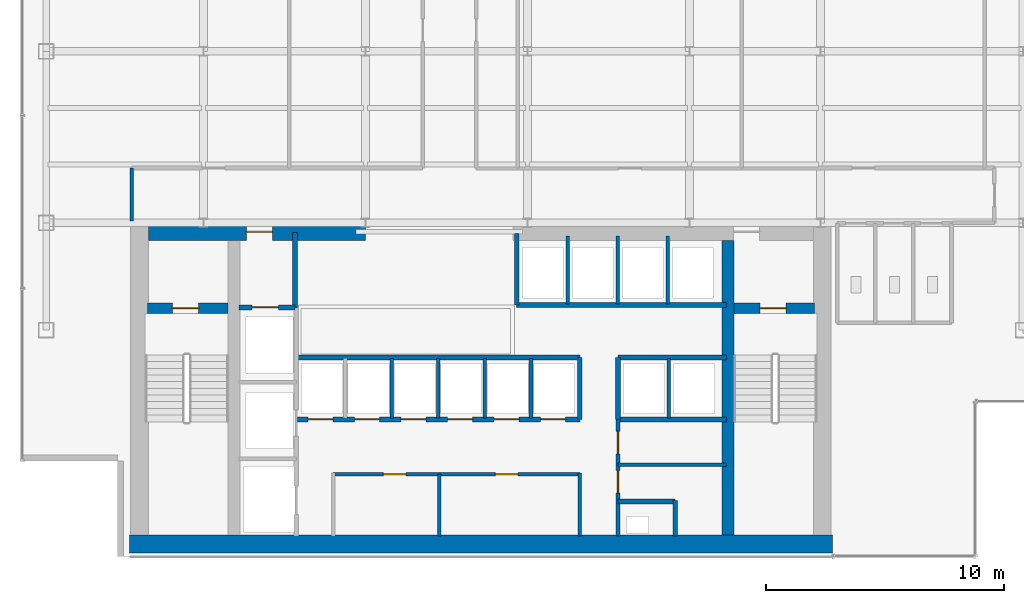
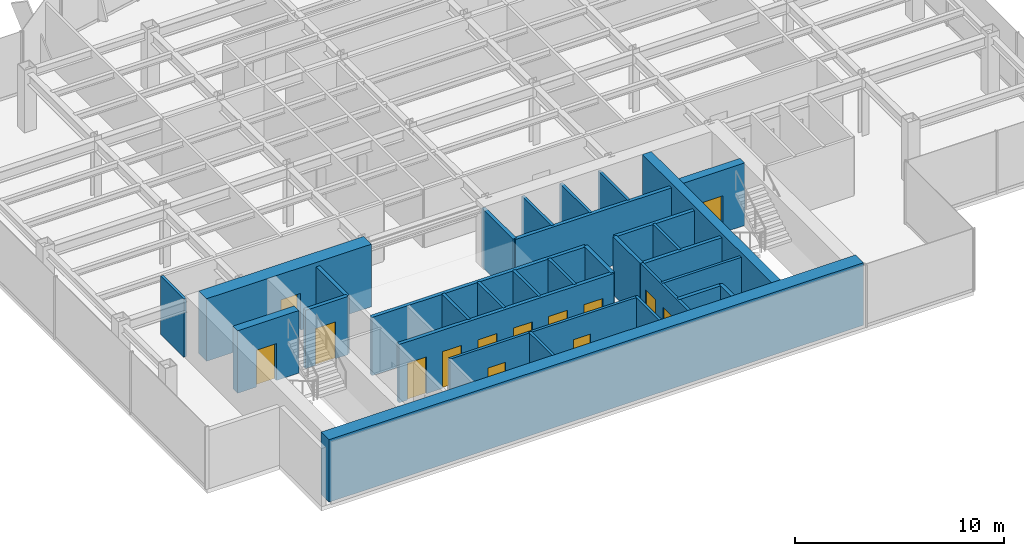
# One storey, part 20 of 25: 31 walls, 14 doors, 14 openings.
"""IFC4 building model written with IfcOpenShell, lengths in metres."""

from ifc_helpers import new_model, si_unit, derived_unit, direction, frame, frame_2d, origin, place, context, subcontext, project, spatial, rectangle, extrude, source, transform, mapped, material, layer, layer_set, type_object, element, fill, save


model = new_model("IFC4")

# Units and contexts
model_context = context("Model", 3, precision=1e-05, world=origin(), true_north=direction((0.0, 1.0)))
body_context = subcontext(model_context, "Body", "Model", "MODEL_VIEW")
ifc_project = project(units=[si_unit("LENGTHUNIT", "METRE"), si_unit("AREAUNIT", "SQUARE_METRE"), si_unit("VOLUMEUNIT", "CUBIC_METRE"), si_unit("PLANEANGLEUNIT", "RADIAN"), si_unit("MASSUNIT", "GRAM", prefix="KILO"), derived_unit("THERMALTRANSMITTANCEUNIT", [(si_unit("POWERUNIT", "WATT"), 1), (si_unit("LENGTHUNIT", "METRE"), -2), (si_unit("THERMODYNAMICTEMPERATUREUNIT", "KELVIN"), -1)])], contexts=[model_context])

# Site, building, storey
site_placement = place(None, origin())
site = spatial("IfcSite", under=ifc_project, at=site_placement, CompositionType="ELEMENT")
building_placement = place(site_placement, origin())
building = spatial("IfcBuilding", under=site, at=building_placement, Name="Skarnbrae Concourse Arena and Tower", CompositionType="ELEMENT")
storey_placement = place(building_placement, frame((0.0, 0.0, 173.449951171875)))
storey = spatial("IfcBuildingStorey", under=building, at=storey_placement, Name="L44", CompositionType="ELEMENT", Elevation=173.449951171875)

# Wall, opening, door
ifc_material_1 = material(Name="Concrete 50 MPa (C50/60)", Category="concrete")
ifc_layer_1 = layer(ifc_material_1, 0.449951171875)
ifc_layer_set_1 = layer_set([ifc_layer_1], Name="Concrete 50 MPa (C50/60)")
wall_type_1 = type_object("IfcWallType", Name="WALL-CORE-450-C50", PredefinedType="SHEAR", material=ifc_layer_set_1)
shared_shape_1 = source(origin(), body_context, "Body", "SweptSolid", [
    extrude(rectangle(XDim=3.389892578125, YDim=0.449951171875, at=frame_2d((1.69482421875, 0.0))), origin(), (0.0, 0.0, 1.0), 3.650146484375),
])
wall_1_placement = place(storey_placement, frame((5.25, 10.419921875, 0.0), z_axis=(0.0, 0.0, 1.0), x_axis=(1.0, 0.0, 0.0)))
wall_1 = element("IfcWall", 1, at=wall_1_placement, inside=storey, type_object=wall_type_1, Name="L44 Rear core shear wall CW-ST1-N", PredefinedType="SHEAR", context=body_context, shape_type="MappedRepresentation", body=[
    mapped(shared_shape_1, transform((0.0, 0.0, 0.0))),
])
opening_1_placement = place(wall_1_placement, frame((1.050048828125, 0.0, 0.0)))
opening_1 = element("IfcOpeningElement", 2, at=opening_1_placement, cuts=wall_1, Name="Opening DT-03", PredefinedType="OPENING", context=body_context, shape_type="SweptSolid", body=[
    extrude(rectangle(XDim=1.10009765625, YDim=2.14990234375, at=frame_2d((0.550048828125, 1.074951171875))), frame((0.0, 0.23486328125, 0.0), z_axis=(0.0, -1.0, 0.0), x_axis=(1.0, 0.0, 0.0)), (0.0, 0.0, 1.0), 0.469970703125),
])
ifc_material_2 = material(Name="Steel CSA G40.21 350W", Category="steel")
door_type_1 = type_object("IfcDoorType", Name="DOOR-FIRE-1100-90M", OperationType="NOTDEFINED", PredefinedType="DOOR", material=ifc_material_2)
shared_shape_2 = source(origin(), body_context, "Body", "SweptSolid", [
    extrude(rectangle(XDim=1.10009765625, YDim=2.14990234375, at=frame_2d((0.550048828125, 1.074951171875))), frame((0.0, 0.02490234375, 0.0), z_axis=(0.0, -1.0, 0.0), x_axis=(1.0, 0.0, 0.0)), (0.0, 0.0, 1.0), 0.050048828125),
])
door_1_placement = place(opening_1_placement, frame((1.10009765625, 0.0, 0.0), z_axis=(0.0, 0.0, 1.0), x_axis=(-1.0, 0.0, 0.0)))
door_1 = element("IfcDoor", 3, at=door_1_placement, inside=storey, type_object=door_type_1, Name="D-1348 Stair ST-1 Door", OperationType="SINGLE_SWING_LEFT", OverallHeight=2.14990234375, OverallWidth=1.10009765625, PredefinedType="DOOR", context=body_context, shape_type="MappedRepresentation", body=[
    mapped(shared_shape_2, transform((0.0, 0.0, 0.0))),
])
fill(opening_1, door_1)

wall_2_placement = place(storey_placement, frame((29.860107421875, 10.419921875, 0.0), z_axis=(0.0, 0.0, 1.0), x_axis=(1.0, 0.0, 0.0)))
wall_2 = element("IfcWall", 4, at=wall_2_placement, inside=storey, type_object=wall_type_1, Name="L44 Rear core shear wall CW-ST2-N", PredefinedType="SHEAR", context=body_context, shape_type="MappedRepresentation", body=[
    mapped(shared_shape_1, transform((0.0, 0.0, 0.0))),
])
opening_2_placement = place(wall_2_placement, frame((1.10009765625, 0.0, 0.0)))
opening_2 = element("IfcOpeningElement", 5, at=opening_2_placement, cuts=wall_2, Name="Opening DT-03", PredefinedType="OPENING", context=body_context, shape_type="SweptSolid", body=[
    extrude(rectangle(XDim=1.10009765625, YDim=2.14990234375, at=frame_2d((0.550048828125, 1.074951171875))), frame((0.0, 0.23486328125, 0.0), z_axis=(0.0, -1.0, 0.0), x_axis=(1.0, 0.0, 0.0)), (0.0, 0.0, 1.0), 0.469970703125),
])
door_2_placement = place(opening_2_placement, frame((1.10009765625, 0.0, 0.0), z_axis=(0.0, 0.0, 1.0), x_axis=(-1.0, 0.0, 0.0)))
door_2 = element("IfcDoor", 6, at=door_2_placement, inside=storey, type_object=door_type_1, Name="D-1349 Stair ST-2 Door", OperationType="SINGLE_SWING_RIGHT", OverallHeight=2.14990234375, OverallWidth=1.10009765625, PredefinedType="DOOR", context=body_context, shape_type="MappedRepresentation", body=[
    mapped(shared_shape_2, transform((0.0, 0.0, 0.0))),
])
fill(opening_2, door_2)

# Wall
ifc_material_3 = material(Name="Concrete 60 MPa (C60/75)", Category="concrete")
ifc_layer_2 = layer(ifc_material_3, 0.75)
ifc_layer_set_2 = layer_set([ifc_layer_2], Name="Concrete 60 MPa (C60/75)")
wall_type_2 = type_object("IfcWallType", Name="WALL-CORE-750-C60", PredefinedType="SHEAR", material=ifc_layer_set_2)
shared_shape_3 = source(origin(), body_context, "Body", "SweptSolid", [
    extrude(rectangle(XDim=29.5, YDim=0.75, at=frame_2d((14.75, 0.0))), origin(), (0.0, 0.0, 1.0), 3.650146484375),
])
wall_3_placement = place(storey_placement, frame((4.5, 0.52490234375, 0.0), z_axis=(0.0, 0.0, 1.0), x_axis=(1.0, 0.0, 0.0)))
element("IfcWall", 7, at=wall_3_placement, inside=storey, type_object=wall_type_2, Name="L44 Rear core shear wall CW-S", PredefinedType="SHEAR", context=body_context, shape_type="MappedRepresentation", body=[
    mapped(shared_shape_3, transform((0.0, 0.0, 0.0))),
])

# Wall, opening, door
shared_shape_4 = source(origin(), body_context, "Body", "SweptSolid", [
    extrude(rectangle(XDim=9.099853515625, YDim=0.75, at=frame_2d((4.5498046875, 0.0))), origin(), (0.0, 0.0, 1.0), 3.650146484375),
])
wall_4_placement = place(storey_placement, frame((5.300048828125, 13.625, 0.0), z_axis=(0.0, 0.0, 1.0), x_axis=(1.0, 0.0, 0.0)))
wall_4 = element("IfcWall", 8, at=wall_4_placement, inside=storey, type_object=wall_type_2, Name="L44 Rear core shear wall CW-NW", PredefinedType="SHEAR", context=body_context, shape_type="MappedRepresentation", body=[
    mapped(shared_shape_4, transform((0.0, 0.0, 0.0))),
])
opening_3_placement = place(wall_4_placement, frame((4.10009765625, 0.0, 0.0)))
opening_3 = element("IfcOpeningElement", 9, at=opening_3_placement, cuts=wall_4, Name="Opening DT-03", PredefinedType="OPENING", context=body_context, shape_type="SweptSolid", body=[
    extrude(rectangle(XDim=1.10009765625, YDim=2.14990234375, at=frame_2d((0.550048828125, 1.074951171875))), frame((0.0, 0.385009765625, 0.0), z_axis=(0.0, -1.0, 0.0), x_axis=(1.0, 0.0, 0.0)), (0.0, 0.0, 1.0), 0.77001953125),
])
door_3_placement = place(opening_3_placement, origin())
door_3 = element("IfcDoor", 10, at=door_3_placement, inside=storey, type_object=door_type_1, Name="D-1350 Firefighting Lobby Exit Door", OperationType="SINGLE_SWING_RIGHT", OverallHeight=2.14990234375, OverallWidth=1.10009765625, PredefinedType="DOOR", context=body_context, shape_type="MappedRepresentation", body=[
    mapped(shared_shape_2, transform((0.0, 0.0, 0.0))),
])
fill(opening_3, door_3)

# Walls
ifc_layer_3 = layer(ifc_material_3, 0.5)
ifc_layer_set_3 = layer_set([ifc_layer_3], Name="Concrete 60 MPa (C60/75)")
wall_type_3 = type_object("IfcWallType", Name="WALL-CORE-500-C60", PredefinedType="SHEAR", material=ifc_layer_set_3)
shared_shape_5 = source(origin(), body_context, "Body", "SweptSolid", [
    extrude(rectangle(XDim=12.35009765625, YDim=0.5, at=frame_2d((6.175048828125, 0.0))), origin(), (0.0, 0.0, 1.0), 3.650146484375),
])
wall_5_placement = place(storey_placement, frame((29.610107421875, 0.89990234375, 0.0), z_axis=(0.0, 0.0, 1.0), x_axis=(0.0, 1.0, 0.0)))
element("IfcWall", 11, at=wall_5_placement, inside=storey, type_object=wall_type_3, Name="L44 Rear core shear wall CW-WEB-E", PredefinedType="SHEAR", context=body_context, shape_type="MappedRepresentation", body=[
    mapped(shared_shape_5, transform((0.0, 0.0, 0.0))),
])
ifc_material_4 = material(Name="Gypsum board on cold-formed steel studs", Category="steel")
ifc_layer_4 = layer(ifc_material_4, 0.199951171875)
ifc_layer_set_4 = layer_set([ifc_layer_4], Name="Gypsum board on cold-formed steel studs")
wall_type_4 = type_object("IfcWallType", Name="WALL-PART-200-2HR", PredefinedType="PARTITIONING", material=ifc_layer_set_4)
shared_shape_6 = source(origin(), body_context, "Body", "SweptSolid", [
    extrude(rectangle(XDim=3.18017578125, YDim=0.199951171875, at=frame_2d((1.590087890625, 0.0))), origin(), (0.0, 0.0, 1.0), 3.400146484375),
])
wall_6_placement = place(storey_placement, frame((11.449951171875, 10.419921875, 0.0), z_axis=(0.0, 0.0, 1.0), x_axis=(0.0, 1.0, 0.0)))
element("IfcWall", 12, at=wall_6_placement, inside=storey, type_object=wall_type_4, Name="L44 Interior partition wall W-L44-FFL-E", PredefinedType="PARTITIONING", context=body_context, shape_type="MappedRepresentation", body=[
    mapped(shared_shape_6, transform((0.0, 0.0, 0.0))),
])

# Wall, opening, door
shared_shape_7 = source(origin(), body_context, "Body", "SweptSolid", [
    extrude(rectangle(XDim=2.349853515625, YDim=0.199951171875, at=frame_2d((1.1748046875, 0.0))), origin(), (0.0, 0.0, 1.0), 3.400146484375),
])
wall_7_placement = place(storey_placement, frame((9.10009765625, 10.449951171875, 0.0), z_axis=(0.0, 0.0, 1.0), x_axis=(1.0, 0.0, 0.0)))
wall_7 = element("IfcWall", 13, at=wall_7_placement, inside=storey, type_object=wall_type_4, Name="L44 Interior partition wall W-L44-FL1-N", PredefinedType="PARTITIONING", context=body_context, shape_type="MappedRepresentation", body=[
    mapped(shared_shape_7, transform((0.0, 0.0, 0.0))),
])
opening_4_placement = place(wall_7_placement, frame((0.550048828125, 0.0, 0.0)))
opening_4 = element("IfcOpeningElement", 14, at=opening_4_placement, cuts=wall_7, Name="Opening LD-01", PredefinedType="OPENING", context=body_context, shape_type="SweptSolid", body=[
    extrude(rectangle(XDim=1.10009765625, YDim=2.14990234375, at=frame_2d((0.550048828125, 1.074951171875))), frame((0.0, 0.10986328125, 0.0), z_axis=(0.0, -1.0, 0.0), x_axis=(1.0, 0.0, 0.0)), (0.0, 0.0, 1.0), 0.219970703125),
])
door_type_2 = type_object("IfcDoorType", Name="DOOR-LIFT-SLIDE-1100", OperationType="SLIDING_TO_LEFT", PredefinedType="DOOR", material=ifc_material_2)
door_4_placement = place(opening_4_placement, origin())
door_4 = element("IfcDoor", 15, at=door_4_placement, inside=storey, type_object=door_type_2, Name="D-1352 Firefighting Lift Landing Door FL-01", OperationType="SLIDING_TO_LEFT", OverallHeight=2.14990234375, OverallWidth=1.10009765625, PredefinedType="DOOR", context=body_context, shape_type="MappedRepresentation", body=[
    mapped(shared_shape_2, transform((0.0, 0.0, 0.0))),
])
fill(opening_4, door_4)

# Wall
ifc_layer_5 = layer(ifc_material_4, 0.14990234375)
ifc_layer_set_5 = layer_set([ifc_layer_5], Name="Gypsum board on cold-formed steel studs")
wall_type_5 = type_object("IfcWallType", Name="WALL-PART-150", PredefinedType="PARTITIONING", material=ifc_layer_set_5)
shared_shape_8 = source(origin(), body_context, "Body", "SweptSolid", [
    extrude(rectangle(XDim=2.599853515625, YDim=0.14990234375, at=frame_2d((1.2998046875, 0.0))), origin(), (0.0, 0.0, 1.0), 3.400146484375),
])
wall_8_placement = place(storey_placement, frame((17.5, 0.85009765625, 0.0), z_axis=(0.0, 0.0, 1.0), x_axis=(0.0, 1.0, 0.0)))
element("IfcWall", 16, at=wall_8_placement, inside=storey, type_object=wall_type_5, Name="L44 Interior partition wall W-L44-B1M-C1", PredefinedType="PARTITIONING", context=body_context, shape_type="MappedRepresentation", body=[
    mapped(shared_shape_8, transform((0.0, 0.0, 0.0))),
])

# Wall, openings, doors
shared_shape_9 = source(origin(), body_context, "Body", "SweptSolid", [
    extrude(rectangle(XDim=11.849853515625, YDim=0.199951171875, at=frame_2d((5.9248046875, 0.0))), origin(), (0.0, 0.0, 1.0), 3.400146484375),
])
wall_9_placement = place(storey_placement, frame((11.550048828125, 5.75, 0.0), z_axis=(0.0, 0.0, 1.0), x_axis=(1.0, 0.0, 0.0)))
wall_9 = element("IfcWall", 17, at=wall_9_placement, inside=storey, type_object=wall_type_4, Name="L44 Interior partition wall W-L44-B2-S", PredefinedType="PARTITIONING", context=body_context, shape_type="MappedRepresentation", body=[
    mapped(shared_shape_9, transform((0.0, 0.0, 0.0))),
])
opening_5_placement = place(wall_9_placement, frame((0.449951171875, 0.0, 0.0)))
opening_5 = element("IfcOpeningElement", 18, at=opening_5_placement, cuts=wall_9, Name="Opening LD-03", PredefinedType="OPENING", context=body_context, shape_type="SweptSolid", body=[
    extrude(rectangle(XDim=1.050048828125, YDim=2.14990234375, at=frame_2d((0.52490234375, 1.074951171875))), frame((0.0, 0.10986328125, 0.0), z_axis=(0.0, -1.0, 0.0), x_axis=(1.0, 0.0, 0.0)), (0.0, 0.0, 1.0), 0.219970703125),
])
opening_6_placement = place(wall_9_placement, frame((2.39990234375, 0.0, 0.0)))
opening_6 = element("IfcOpeningElement", 19, at=opening_6_placement, cuts=wall_9, Name="Opening LD-03", PredefinedType="OPENING", context=body_context, shape_type="SweptSolid", body=[
    extrude(rectangle(XDim=1.050048828125, YDim=2.14990234375, at=frame_2d((0.52490234375, 1.074951171875))), frame((0.0, 0.10986328125, 0.0), z_axis=(0.0, -1.0, 0.0), x_axis=(1.0, 0.0, 0.0)), (0.0, 0.0, 1.0), 0.219970703125),
])
opening_7_placement = place(wall_9_placement, frame((4.35009765625, 0.0, 0.0)))
opening_7 = element("IfcOpeningElement", 20, at=opening_7_placement, cuts=wall_9, Name="Opening LD-03", PredefinedType="OPENING", context=body_context, shape_type="SweptSolid", body=[
    extrude(rectangle(XDim=1.050048828125, YDim=2.14990234375, at=frame_2d((0.52490234375, 1.074951171875))), frame((0.0, 0.10986328125, 0.0), z_axis=(0.0, -1.0, 0.0), x_axis=(1.0, 0.0, 0.0)), (0.0, 0.0, 1.0), 0.219970703125),
])
opening_8_placement = place(wall_9_placement, frame((6.300048828125, 0.0, 0.0)))
opening_8 = element("IfcOpeningElement", 21, at=opening_8_placement, cuts=wall_9, Name="Opening LD-03", PredefinedType="OPENING", context=body_context, shape_type="SweptSolid", body=[
    extrude(rectangle(XDim=1.050048828125, YDim=2.14990234375, at=frame_2d((0.52490234375, 1.074951171875))), frame((0.0, 0.10986328125, 0.0), z_axis=(0.0, -1.0, 0.0), x_axis=(1.0, 0.0, 0.0)), (0.0, 0.0, 1.0), 0.219970703125),
])
opening_9_placement = place(wall_9_placement, frame((8.25, 0.0, 0.0)))
opening_9 = element("IfcOpeningElement", 22, at=opening_9_placement, cuts=wall_9, Name="Opening LD-03", PredefinedType="OPENING", context=body_context, shape_type="SweptSolid", body=[
    extrude(rectangle(XDim=1.050048828125, YDim=2.14990234375, at=frame_2d((0.52490234375, 1.074951171875))), frame((0.0, 0.10986328125, 0.0), z_axis=(0.0, -1.0, 0.0), x_axis=(1.0, 0.0, 0.0)), (0.0, 0.0, 1.0), 0.219970703125),
])
opening_10_placement = place(wall_9_placement, frame((10.199951171875, 0.0, 0.0)))
opening_10 = element("IfcOpeningElement", 23, at=opening_10_placement, cuts=wall_9, Name="Opening LD-03", PredefinedType="OPENING", context=body_context, shape_type="SweptSolid", body=[
    extrude(rectangle(XDim=1.050048828125, YDim=2.14990234375, at=frame_2d((0.52490234375, 1.074951171875))), frame((0.0, 0.10986328125, 0.0), z_axis=(0.0, -1.0, 0.0), x_axis=(1.0, 0.0, 0.0)), (0.0, 0.0, 1.0), 0.219970703125),
])
ifc_material_5 = material(Name="Bronze anodised aluminium 6063-T6", Category="aluminium")
door_type_3 = type_object("IfcDoorType", Name="DOOR-LIFT-SLIDE-1050", OperationType="SLIDING_TO_LEFT", PredefinedType="DOOR", material=ifc_material_5)
shared_shape_10 = source(origin(), body_context, "Body", "SweptSolid", [
    extrude(rectangle(XDim=1.050048828125, YDim=2.14990234375, at=frame_2d((0.52490234375, 1.074951171875))), frame((0.0, 0.02490234375, 0.0), z_axis=(0.0, -1.0, 0.0), x_axis=(1.0, 0.0, 0.0)), (0.0, 0.0, 1.0), 0.050048828125),
])
door_5_placement = place(opening_5_placement, frame((1.050048828125, 0.0, 0.0), z_axis=(0.0, 0.0, 1.0), x_axis=(-1.0, 0.0, 0.0)))
door_5 = element("IfcDoor", 24, at=door_5_placement, inside=storey, type_object=door_type_3, Name="D-1357 Passenger Lift Landing Door PL-2A", OperationType="SLIDING_TO_LEFT", OverallHeight=2.14990234375, OverallWidth=1.050048828125, PredefinedType="DOOR", context=body_context, shape_type="MappedRepresentation", body=[
    mapped(shared_shape_10, transform((0.0, 0.0, 0.0))),
])
fill(opening_5, door_5)
door_6_placement = place(opening_6_placement, frame((1.050048828125, 0.0, 0.0), z_axis=(0.0, 0.0, 1.0), x_axis=(-1.0, 0.0, 0.0)))
door_6 = element("IfcDoor", 25, at=door_6_placement, inside=storey, type_object=door_type_3, Name="D-1358 Passenger Lift Landing Door PL-2B", OperationType="SLIDING_TO_LEFT", OverallHeight=2.14990234375, OverallWidth=1.050048828125, PredefinedType="DOOR", context=body_context, shape_type="MappedRepresentation", body=[
    mapped(shared_shape_10, transform((0.0, 0.0, 0.0))),
])
fill(opening_6, door_6)
door_7_placement = place(opening_7_placement, frame((1.050048828125, 0.0, 0.0), z_axis=(0.0, 0.0, 1.0), x_axis=(-1.0, 0.0, 0.0)))
door_7 = element("IfcDoor", 26, at=door_7_placement, inside=storey, type_object=door_type_3, Name="D-1359 Passenger Lift Landing Door PL-2C", OperationType="SLIDING_TO_LEFT", OverallHeight=2.14990234375, OverallWidth=1.050048828125, PredefinedType="DOOR", context=body_context, shape_type="MappedRepresentation", body=[
    mapped(shared_shape_10, transform((0.0, 0.0, 0.0))),
])
fill(opening_7, door_7)
door_8_placement = place(opening_8_placement, frame((1.050048828125, 0.0, 0.0), z_axis=(0.0, 0.0, 1.0), x_axis=(-1.0, 0.0, 0.0)))
door_8 = element("IfcDoor", 27, at=door_8_placement, inside=storey, type_object=door_type_3, Name="D-1360 Passenger Lift Landing Door PL-2D", OperationType="SLIDING_TO_LEFT", OverallHeight=2.14990234375, OverallWidth=1.050048828125, PredefinedType="DOOR", context=body_context, shape_type="MappedRepresentation", body=[
    mapped(shared_shape_10, transform((0.0, 0.0, 0.0))),
])
fill(opening_8, door_8)
door_9_placement = place(opening_9_placement, frame((1.050048828125, 0.0, 0.0), z_axis=(0.0, 0.0, 1.0), x_axis=(-1.0, 0.0, 0.0)))
door_9 = element("IfcDoor", 28, at=door_9_placement, inside=storey, type_object=door_type_3, Name="D-1361 Passenger Lift Landing Door PL-2E", OperationType="SLIDING_TO_LEFT", OverallHeight=2.14990234375, OverallWidth=1.050048828125, PredefinedType="DOOR", context=body_context, shape_type="MappedRepresentation", body=[
    mapped(shared_shape_10, transform((0.0, 0.0, 0.0))),
])
fill(opening_9, door_9)
door_10_placement = place(opening_10_placement, frame((1.050048828125, 0.0, 0.0), z_axis=(0.0, 0.0, 1.0), x_axis=(-1.0, 0.0, 0.0)))
door_10 = element("IfcDoor", 29, at=door_10_placement, inside=storey, type_object=door_type_3, Name="D-1362 Passenger Lift Landing Door PL-2F", OperationType="SLIDING_TO_LEFT", OverallHeight=2.14990234375, OverallWidth=1.050048828125, PredefinedType="DOOR", context=body_context, shape_type="MappedRepresentation", body=[
    mapped(shared_shape_10, transform((0.0, 0.0, 0.0))),
])
fill(opening_10, door_10)

# Walls
wall_10_placement = place(storey_placement, frame((11.550048828125, 8.35009765625, 0.0), z_axis=(0.0, 0.0, 1.0), x_axis=(1.0, 0.0, 0.0)))
element("IfcWall", 30, at=wall_10_placement, inside=storey, type_object=wall_type_4, Name="L44 Interior partition wall W-L44-B2-N", PredefinedType="PARTITIONING", context=body_context, shape_type="MappedRepresentation", body=[
    mapped(shared_shape_9, transform((0.0, 0.0, 0.0))),
])
shared_shape_11 = source(origin(), body_context, "Body", "SweptSolid", [
    extrude(rectangle(XDim=2.60009765625, YDim=0.199951171875, at=frame_2d((1.300048828125, 0.0))), origin(), (0.0, 0.0, 1.0), 3.400146484375),
])
for number, where, z_axis, x_axis, name in (
    (31, (23.39990234375, 5.75, 0.0), (0.0, 0.0, 1.0), (0.0, 1.0, 0.0), "L44 Interior partition wall W-L44-B2-E"),
    (32, (25.0, 5.75, 0.0), (0.0, 0.0, 1.0), (0.0, 1.0, 0.0), "L44 Interior partition wall W-L44-B3S-W"),
):
    element("IfcWall", number, at=place(storey_placement, frame(where, z_axis=z_axis, x_axis=x_axis)), inside=storey, type_object=wall_type_4, Name=name, PredefinedType="PARTITIONING", context=body_context, shape_type="MappedRepresentation", body=[
        mapped(shared_shape_11, transform((0.0, 0.0, 0.0))),
    ])
shared_shape_12 = source(origin(), body_context, "Body", "SweptSolid", [
    extrude(rectangle(XDim=2.5, YDim=0.14990234375, at=frame_2d((1.25, 0.0))), origin(), (0.0, 0.0, 1.0), 3.400146484375),
])
for number, where, z_axis, x_axis, name in (
    (33, (15.5, 5.800048828125, 0.0), (0.0, 0.0, 1.0), (0.0, 1.0, 0.0), "L44 Interior partition wall W-L44-B2-P2"),
    (34, (17.449951171875, 5.800048828125, 0.0), (0.0, 0.0, 1.0), (0.0, 1.0, 0.0), "L44 Interior partition wall W-L44-B2-P3"),
    (35, (19.39990234375, 5.800048828125, 0.0), (0.0, 0.0, 1.0), (0.0, 1.0, 0.0), "L44 Interior partition wall W-L44-B2-P4"),
    (36, (21.35009765625, 5.800048828125, 0.0), (0.0, 0.0, 1.0), (0.0, 1.0, 0.0), "L44 Interior partition wall W-L44-B2-P5"),
    (37, (27.139892578125, 5.800048828125, 0.0), (0.0, 0.0, 1.0), (0.0, 1.0, 0.0), "L44 Interior partition wall W-L44-B3S-P1"),
):
    element("IfcWall", number, at=place(storey_placement, frame(where, z_axis=z_axis, x_axis=x_axis)), inside=storey, type_object=wall_type_5, Name=name, PredefinedType="PARTITIONING", context=body_context, shape_type="MappedRepresentation", body=[
        mapped(shared_shape_12, transform((0.0, 0.0, 0.0))),
    ])
shared_shape_13 = source(origin(), body_context, "Body", "SweptSolid", [
    extrude(rectangle(XDim=8.800048828125, YDim=0.199951171875, at=frame_2d((4.39990234375, 0.0))), origin(), (0.0, 0.0, 1.0), 3.400146484375),
])
wall_11_placement = place(storey_placement, frame((20.75, 10.550048828125, 0.0), z_axis=(0.0, 0.0, 1.0), x_axis=(1.0, 0.0, 0.0)))
element("IfcWall", 38, at=wall_11_placement, inside=storey, type_object=wall_type_4, Name="L44 Interior partition wall W-L44-B3N-S", PredefinedType="PARTITIONING", context=body_context, shape_type="MappedRepresentation", body=[
    mapped(shared_shape_13, transform((0.0, 0.0, 0.0))),
])
shared_shape_14 = source(origin(), body_context, "Body", "SweptSolid", [
    extrude(rectangle(XDim=3.0, YDim=0.199951171875, at=frame_2d((1.5, 0.0))), origin(), (0.0, 0.0, 1.0), 3.400146484375),
])
wall_12_placement = place(storey_placement, frame((20.75, 10.550048828125, 0.0), z_axis=(0.0, 0.0, 1.0), x_axis=(0.0, 1.0, 0.0)))
element("IfcWall", 39, at=wall_12_placement, inside=storey, type_object=wall_type_4, Name="L44 Interior partition wall W-L44-B3N-W", PredefinedType="PARTITIONING", context=body_context, shape_type="MappedRepresentation", body=[
    mapped(shared_shape_14, transform((0.0, 0.0, 0.0))),
])
shared_shape_15 = source(origin(), body_context, "Body", "SweptSolid", [
    extrude(rectangle(XDim=2.849853515625, YDim=0.14990234375, at=frame_2d((1.4248046875, 0.0))), origin(), (0.0, 0.0, 1.0), 3.400146484375),
])
for number, where, z_axis, x_axis, name in (
    (40, (22.889892578125, 10.60009765625, 0.0), (0.0, 0.0, 1.0), (0.0, 1.0, 0.0), "L44 Interior partition wall W-L44-B3N-P1"),
    (41, (24.989990234375, 10.60009765625, 0.0), (0.0, 0.0, 1.0), (0.0, 1.0, 0.0), "L44 Interior partition wall W-L44-B3N-P2"),
    (42, (27.090087890625, 10.60009765625, 0.0), (0.0, 0.0, 1.0), (0.0, 1.0, 0.0), "L44 Interior partition wall W-L44-B3N-P3"),
):
    element("IfcWall", number, at=place(storey_placement, frame(where, z_axis=z_axis, x_axis=x_axis)), inside=storey, type_object=wall_type_5, Name=name, PredefinedType="PARTITIONING", context=body_context, shape_type="MappedRepresentation", body=[
        mapped(shared_shape_15, transform((0.0, 0.0, 0.0))),
    ])
shared_shape_16 = source(origin(), body_context, "Body", "SweptSolid", [
    extrude(rectangle(XDim=4.550048828125, YDim=0.199951171875, at=frame_2d((2.27490234375, 0.0))), origin(), (0.0, 0.0, 1.0), 3.400146484375),
])
for number, where, z_axis, x_axis, name in (
    (43, (25.0, 8.35009765625, 0.0), (0.0, 0.0, 1.0), (1.0, 0.0, 0.0), "L44 Interior partition wall W-L44-B3S-N"),
    (44, (25.0, 5.75, 0.0), (0.0, 0.0, 1.0), (1.0, 0.0, 0.0), "L44 Interior partition wall W-L44-B3S-S"),
):
    element("IfcWall", number, at=place(storey_placement, frame(where, z_axis=z_axis, x_axis=x_axis)), inside=storey, type_object=wall_type_4, Name=name, PredefinedType="PARTITIONING", context=body_context, shape_type="MappedRepresentation", body=[
        mapped(shared_shape_16, transform((0.0, 0.0, 0.0))),
    ])

# Wall, openings, doors
ifc_layer_6 = layer(ifc_material_4, 0.14990234375)
ifc_layer_set_6 = layer_set([ifc_layer_6], Name="Gypsum board on cold-formed steel studs")
wall_type_6 = type_object("IfcWallType", Name="WALL-PART-150-1HR", PredefinedType="PARTITIONING", material=ifc_layer_set_6)
shared_shape_17 = source(origin(), body_context, "Body", "SweptSolid", [
    extrude(rectangle(XDim=4.89990234375, YDim=0.14990234375, at=frame_2d((2.449951171875, 0.0))), origin(), (0.0, 0.0, 1.0), 3.400146484375),
])
wall_13_placement = place(storey_placement, frame((25.0, 0.85009765625, 0.0), z_axis=(0.0, 0.0, 1.0), x_axis=(0.0, 1.0, 0.0)))
wall_13 = element("IfcWall", 45, at=wall_13_placement, inside=storey, type_object=wall_type_6, Name="L44 Interior partition wall W-L44-CSV-W", PredefinedType="PARTITIONING", context=body_context, shape_type="MappedRepresentation", body=[
    mapped(shared_shape_17, transform((0.0, 0.0, 0.0))),
])
opening_11_placement = place(wall_13_placement, frame((1.800048828125, 0.0, 0.0)))
opening_11 = element("IfcOpeningElement", 46, at=opening_11_placement, cuts=wall_13, Name="Opening DT-04", PredefinedType="OPENING", context=body_context, shape_type="SweptSolid", body=[
    extrude(rectangle(XDim=0.949951171875, YDim=2.14990234375, at=frame_2d((0.47509765625, 1.074951171875))), frame((0.0, 0.0849609375, 0.0), z_axis=(0.0, -1.0, 0.0), x_axis=(1.0, 0.0, 0.0)), (0.0, 0.0, 1.0), 0.169921875),
])
opening_12_placement = place(wall_13_placement, frame((3.449951171875, 0.0, 0.0)))
opening_12 = element("IfcOpeningElement", 47, at=opening_12_placement, cuts=wall_13, Name="Opening DT-04", PredefinedType="OPENING", context=body_context, shape_type="SweptSolid", body=[
    extrude(rectangle(XDim=0.949951171875, YDim=2.14990234375, at=frame_2d((0.47509765625, 1.074951171875))), frame((0.0, 0.0849609375, 0.0), z_axis=(0.0, -1.0, 0.0), x_axis=(1.0, 0.0, 0.0)), (0.0, 0.0, 1.0), 0.169921875),
])
door_type_4 = type_object("IfcDoorType", Name="DOOR-INT-950-45M", OperationType="NOTDEFINED", PredefinedType="DOOR", material=ifc_material_2)
shared_shape_18 = source(origin(), body_context, "Body", "SweptSolid", [
    extrude(rectangle(XDim=0.949951171875, YDim=2.14990234375, at=frame_2d((0.47509765625, 1.074951171875))), frame((0.0, 0.02490234375, 0.0), z_axis=(0.0, -1.0, 0.0), x_axis=(1.0, 0.0, 0.0)), (0.0, 0.0, 1.0), 0.050048828125),
])
door_11_placement = place(opening_11_placement, origin())
door_11 = element("IfcDoor", 48, at=door_11_placement, inside=storey, type_object=door_type_4, Name="D-1363 Electrical Switch Room Door", OperationType="SINGLE_SWING_LEFT", OverallHeight=2.14990234375, OverallWidth=0.949951171875, PredefinedType="DOOR", context=body_context, shape_type="MappedRepresentation", body=[
    mapped(shared_shape_18, transform((0.0, 0.0, 0.0))),
])
fill(opening_11, door_11)
door_12_placement = place(opening_12_placement, origin())
door_12 = element("IfcDoor", 49, at=door_12_placement, inside=storey, type_object=door_type_4, Name="D-1364 Cleaner Store Door", OperationType="SINGLE_SWING_RIGHT", OverallHeight=2.14990234375, OverallWidth=0.949951171875, PredefinedType="DOOR", context=body_context, shape_type="MappedRepresentation", body=[
    mapped(shared_shape_18, transform((0.0, 0.0, 0.0))),
])
fill(opening_12, door_12)

# Walls
shared_shape_19 = source(origin(), body_context, "Body", "SweptSolid", [
    extrude(rectangle(XDim=2.39990234375, YDim=0.199951171875, at=frame_2d((1.199951171875, 0.0))), origin(), (0.0, 0.0, 1.0), 3.400146484375),
])
wall_14_placement = place(storey_placement, frame((25.0, 2.300048828125, 0.0), z_axis=(0.0, 0.0, 1.0), x_axis=(1.0, 0.0, 0.0)))
element("IfcWall", 50, at=wall_14_placement, inside=storey, type_object=wall_type_4, Name="L44 Interior partition wall W-L44-MEP-N", PredefinedType="PARTITIONING", context=body_context, shape_type="MappedRepresentation", body=[
    mapped(shared_shape_19, transform((0.0, 0.0, 0.0))),
])
shared_shape_20 = source(origin(), body_context, "Body", "SweptSolid", [
    extrude(rectangle(XDim=1.5, YDim=0.199951171875, at=frame_2d((0.75, 0.0))), origin(), (0.0, 0.0, 1.0), 3.400146484375),
])
wall_15_placement = place(storey_placement, frame((27.39990234375, 0.85009765625, 0.0), z_axis=(0.0, 0.0, 1.0), x_axis=(0.0, 1.0, 0.0)))
element("IfcWall", 51, at=wall_15_placement, inside=storey, type_object=wall_type_4, Name="L44 Interior partition wall W-L44-MEP-E", PredefinedType="PARTITIONING", context=body_context, shape_type="MappedRepresentation", body=[
    mapped(shared_shape_20, transform((0.0, 0.0, 0.0))),
])
shared_shape_21 = source(origin(), body_context, "Body", "SweptSolid", [
    extrude(rectangle(XDim=4.550048828125, YDim=0.14990234375, at=frame_2d((2.27490234375, 0.0))), origin(), (0.0, 0.0, 1.0), 3.400146484375),
])
wall_16_placement = place(storey_placement, frame((25.0, 3.85009765625, 0.0), z_axis=(0.0, 0.0, 1.0), x_axis=(1.0, 0.0, 0.0)))
element("IfcWall", 52, at=wall_16_placement, inside=storey, type_object=wall_type_5, Name="L44 Interior partition wall W-L44-CSV-H", PredefinedType="PARTITIONING", context=body_context, shape_type="MappedRepresentation", body=[
    mapped(shared_shape_21, transform((0.0, 0.0, 0.0))),
])
shared_shape_22 = source(origin(), body_context, "Body", "SweptSolid", [
    extrude(rectangle(XDim=2.64990234375, YDim=0.14990234375, at=frame_2d((1.324951171875, 0.0))), origin(), (0.0, 0.0, 1.0), 3.400146484375),
])
wall_17_placement = place(storey_placement, frame((23.39990234375, 0.85009765625, 0.0), z_axis=(0.0, 0.0, 1.0), x_axis=(0.0, 1.0, 0.0)))
element("IfcWall", 53, at=wall_17_placement, inside=storey, type_object=wall_type_6, Name="L44 Interior partition wall W-L44-B1M-E", PredefinedType="PARTITIONING", context=body_context, shape_type="MappedRepresentation", body=[
    mapped(shared_shape_22, transform((0.0, 0.0, 0.0))),
])

# Wall, openings, doors
shared_shape_23 = source(origin(), body_context, "Body", "SweptSolid", [
    extrude(rectangle(XDim=10.349853515625, YDim=0.14990234375, at=frame_2d((5.1748046875, 0.0))), origin(), (0.0, 0.0, 1.0), 3.400146484375),
])
wall_18_placement = place(storey_placement, frame((13.050048828125, 3.449951171875, 0.0), z_axis=(0.0, 0.0, 1.0), x_axis=(1.0, 0.0, 0.0)))
wall_18 = element("IfcWall", 54, at=wall_18_placement, inside=storey, type_object=wall_type_6, Name="L44 Interior partition wall W-L44-B1M-N", PredefinedType="PARTITIONING", context=body_context, shape_type="MappedRepresentation", body=[
    mapped(shared_shape_23, transform((0.0, 0.0, 0.0))),
])
opening_13_placement = place(wall_18_placement, frame((2.10009765625, 0.0, 0.0)))
opening_13 = element("IfcOpeningElement", 55, at=opening_13_placement, cuts=wall_18, Name="Opening DT-04", PredefinedType="OPENING", context=body_context, shape_type="SweptSolid", body=[
    extrude(rectangle(XDim=0.949951171875, YDim=2.14990234375, at=frame_2d((0.47509765625, 1.074951171875))), frame((0.0, 0.0849609375, 0.0), z_axis=(0.0, -1.0, 0.0), x_axis=(1.0, 0.0, 0.0)), (0.0, 0.0, 1.0), 0.169921875),
])
opening_14_placement = place(wall_18_placement, frame((6.800048828125, 0.0, 0.0)))
opening_14 = element("IfcOpeningElement", 56, at=opening_14_placement, cuts=wall_18, Name="Opening DT-04", PredefinedType="OPENING", context=body_context, shape_type="SweptSolid", body=[
    extrude(rectangle(XDim=0.949951171875, YDim=2.14990234375, at=frame_2d((0.47509765625, 1.074951171875))), frame((0.0, 0.0849609375, 0.0), z_axis=(0.0, -1.0, 0.0), x_axis=(1.0, 0.0, 0.0)), (0.0, 0.0, 1.0), 0.169921875),
])
door_13_placement = place(opening_13_placement, origin())
door_13 = element("IfcDoor", 57, at=door_13_placement, inside=storey, type_object=door_type_4, Name="D-1355 Core IT Room Door", OperationType="SINGLE_SWING_LEFT", OverallHeight=2.14990234375, OverallWidth=0.949951171875, PredefinedType="DOOR", context=body_context, shape_type="MappedRepresentation", body=[
    mapped(shared_shape_18, transform((0.0, 0.0, 0.0))),
])
fill(opening_13, door_13)
door_14_placement = place(opening_14_placement, origin())
door_14 = element("IfcDoor", 58, at=door_14_placement, inside=storey, type_object=door_type_4, Name="D-1356 Core Records Store Door", OperationType="SINGLE_SWING_RIGHT", OverallHeight=2.14990234375, OverallWidth=0.949951171875, PredefinedType="DOOR", context=body_context, shape_type="MappedRepresentation", body=[
    mapped(shared_shape_18, transform((0.0, 0.0, 0.0))),
])
fill(opening_14, door_14)

# Wall
shared_shape_24 = source(origin(), body_context, "Body", "SweptSolid", [
    extrude(rectangle(XDim=2.219970703125, YDim=0.14990234375, at=frame_2d((1.10986328125, 0.0))), origin(), (0.0, 0.0, 1.0), 3.400146484375),
])
wall_19_placement = place(storey_placement, frame((4.60009765625, 14.080078125, 0.0), z_axis=(0.0, 0.0, 1.0), x_axis=(0.0, 1.0, 0.0)))
element("IfcWall", 59, at=wall_19_placement, inside=storey, type_object=wall_type_6, Name="L44 Interior partition wall W-L44-COR-01", PredefinedType="PARTITIONING", context=body_context, shape_type="MappedRepresentation", body=[
    mapped(shared_shape_24, transform((0.0, 0.0, 0.0))),
])

save(model, "model.ifc")
